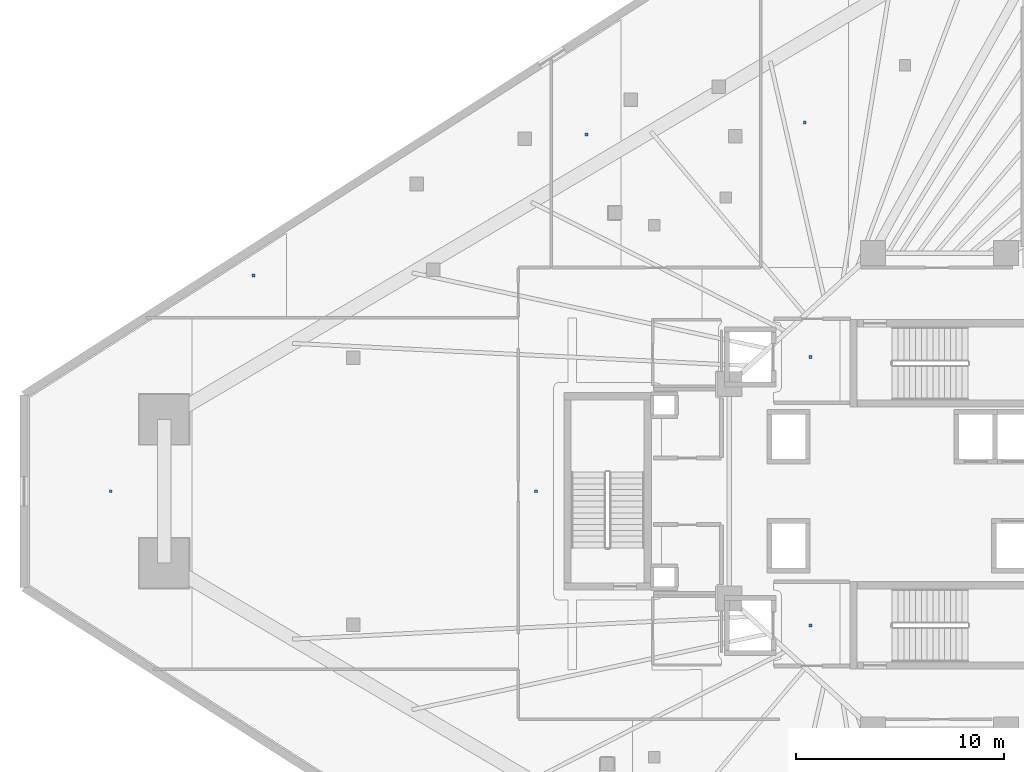
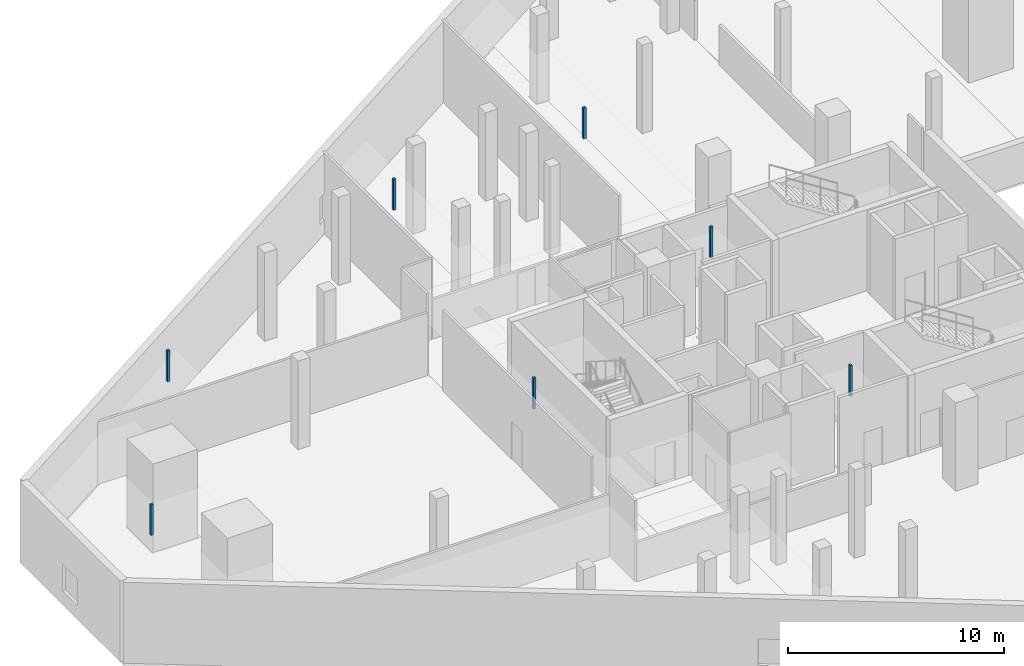
# One storey, part 35 of 43: 7 discrete accessories.
"""IFC4 building model written with IfcOpenShell, lengths in metres."""

import ifcopenshell
import ifcopenshell.guid

model = None  # the IFC model being written
_history = None  # IfcOwnerHistory: only IFC2X3 demands one
_inside = {}  # id of a spatial element -> (the spatial element, [elements in it])
_under = {}  # id of a project, library or spatial element -> (it, [spatial elements below it])
_declared = {}  # id of a project -> (the project, [libraries it declares])
_typed = {}  # id of a type object -> (the type object, [elements of that type])
_made_of = {}  # id of a material, layer set ... -> (it, [elements and type objects made of it])


def new_model(schema):
    """Start an empty IFC model of exactly this schema.

    Asked for "IFC4X3", IfcOpenShell would pick the latest addendum, in which some entities
    have other attributes; the version numbers below select the first issue.
    IFC2X3 requires an IfcOwnerHistory on every rooted entity: one is made here for all.
    """
    global model, _history
    if schema == "IFC4X3":
        model = ifcopenshell.file(schema_version=(4, 3, 0, 0))
    else:
        model = ifcopenshell.file(schema=schema)
    _inside.clear()
    _under.clear()
    _declared.clear()
    _typed.clear()
    _made_of.clear()
    _history = None
    if model.schema == "IFC2X3":
        org = make("IfcOrganization", Name="unknown")
        user = make(
            "IfcPersonAndOrganization",
            ThePerson=make("IfcPerson", FamilyName="unknown"),
            TheOrganization=org,
        )
        app = make(
            "IfcApplication",
            ApplicationDeveloper=org,
            Version="unknown",
            ApplicationFullName="unknown",
            ApplicationIdentifier="unknown",
        )
        _history = make(
            "IfcOwnerHistory",
            OwningUser=user,
            OwningApplication=app,
            ChangeAction="ADDED",
            CreationDate=0,
        )
    return model


def make(cls, **values):
    """One entity of the class cls with the attributes given. An attribute that is None is left unset."""
    return model.create_entity(
        cls, **{name: value for name, value in values.items() if value is not None}
    )


def rooted(cls, **values):
    """An entity with a GlobalId (a new one), such as an element, a storey or a relation."""
    return make(cls, GlobalId=ifcopenshell.guid.new(), OwnerHistory=_history, **values)


def si_unit(unit_type, name, prefix=None):
    """IfcSIUnit, for example si_unit("LENGTHUNIT", "METRE", prefix="MILLI")."""
    return make("IfcSIUnit", UnitType=unit_type, Prefix=prefix, Name=name)


def assignment(units):
    """IfcUnitAssignment: the units of a project."""
    return None if units is None else make("IfcUnitAssignment", Units=units)


def point(xyz):
    """IfcCartesianPoint."""
    return None if xyz is None else make("IfcCartesianPoint", Coordinates=xyz)


def direction(xyz):
    """IfcDirection."""
    return None if xyz is None else make("IfcDirection", DirectionRatios=xyz)


def frame(location, z_axis=None, x_axis=None):
    """IfcAxis2Placement3D, a coordinate frame: its origin and axes. An axis left out is left unset."""
    return make(
        "IfcAxis2Placement3D",
        Location=point(location),
        Axis=direction(z_axis),
        RefDirection=direction(x_axis),
    )


def frame_2d(location, x_axis=None):
    """IfcAxis2Placement2D, a coordinate frame in the plane: its origin and x axis."""
    return make(
        "IfcAxis2Placement2D", Location=point(location), RefDirection=direction(x_axis)
    )


def origin():
    """The frame at (0, 0, 0) with its axes left unset."""
    return frame((0.0, 0.0, 0.0))


def origin_2d():
    """The frame at (0, 0) in the plane with its x axis left unset."""
    return frame_2d((0.0, 0.0))


def place(relative_to, where):
    """IfcLocalPlacement: puts the frame where relative to a parent placement (None: the world)."""
    return make(
        "IfcLocalPlacement", PlacementRelTo=relative_to, RelativePlacement=where
    )


def context(
    kind, dimensions, precision=None, world=None, true_north=None, identifier=None
):
    """IfcGeometricRepresentationContext, for example the 3D "Model" context."""
    return make(
        "IfcGeometricRepresentationContext",
        ContextIdentifier=identifier,
        ContextType=kind,
        CoordinateSpaceDimension=dimensions,
        Precision=precision,
        WorldCoordinateSystem=world,
        TrueNorth=true_north,
    )


def subcontext(parent, identifier, kind, view, scale=None):
    """IfcGeometricRepresentationSubContext, for example "Body" below "Model"."""
    return make(
        "IfcGeometricRepresentationSubContext",
        ContextIdentifier=identifier,
        ContextType=kind,
        ParentContext=parent,
        TargetScale=scale,
        TargetView=view,
    )


def project(units=None, contexts=None):
    """IfcProject with its units and contexts."""
    return rooted(
        "IfcProject",
        Name="project",
        RepresentationContexts=contexts,
        UnitsInContext=assignment(units),
    )


def spatial(cls, under=None, at=None, **own):
    """A site, building, storey or space (cls), placed at a placement, below another one or the project."""
    s = rooted(cls, ObjectPlacement=at, **own)
    if under is not None:
        _under.setdefault(under.id(), (under, []))[1].append(s)
    return s


def profile(cls, at=None, kind="AREA", **sizes):
    """A parametric profile (cls). Its sizes go by their IFC names, for example OverallWidth=200.0."""
    return make(cls, ProfileType=kind, Position=at, **sizes)


def rectangle(**sizes):
    """IfcRectangleProfileDef."""
    return profile("IfcRectangleProfileDef", **sizes)


def extrude(swept, where, along, depth):
    """IfcExtrudedAreaSolid: the profile swept, set in the frame where, extruded along a direction by depth."""
    return make(
        "IfcExtrudedAreaSolid",
        SweptArea=swept,
        Position=where,
        ExtrudedDirection=direction(along),
        Depth=depth,
    )


def shape(context_of_items, identifier, shape_type, items):
    """IfcShapeRepresentation: the items that make up one representation, for example the "Body"."""
    return make(
        "IfcShapeRepresentation",
        ContextOfItems=context_of_items,
        RepresentationIdentifier=identifier,
        RepresentationType=shape_type,
        Items=items,
    )


def material(Name=None, Category=None):
    """IfcMaterial."""
    return make("IfcMaterial", Name=Name, Category=Category)


def made_of(thing, what):
    """Note that an element or type object is made of a material, layer set ...; save() writes the relation."""
    if what is not None:
        _made_of.setdefault(what.id(), (what, []))[1].append(thing)
    return thing


def type_object(cls, material=None, **own):
    """A type object (cls), such as IfcWallType, which elements share."""
    return made_of(rooted(cls, **own), material)


def element(
    cls,
    number,
    at=None,
    inside=None,
    cuts=None,
    type_object=None,
    material=None,
    context=None,
    identifier="Body",
    shape_type=None,
    held_by="IfcProductDefinitionShape",
    body=None,
    shapes=None,
    **own,
):
    """One element of the class cls, such as IfcWall. Its Tag is "e" and its number.

    at: its placement. inside: the storey or other place that contains it. cuts: it is an
    opening in that element (IfcRelVoidsElement). A single representation is given by context,
    identifier, shape_type and body (its items); several are given by shapes. held_by: the class
    of the entity that holds the representations. save() writes the other relations.
    """
    e = rooted(cls, Tag="e%d" % number, ObjectPlacement=at, **own)
    if body is not None:
        shapes = [shape(context, identifier, shape_type, body)]
    if shapes is not None:
        e.Representation = make(held_by, Representations=shapes)
    if inside is not None:
        _inside.setdefault(inside.id(), (inside, []))[1].append(e)
    if cuts is not None:
        rooted(
            "IfcRelVoidsElement", RelatingBuildingElement=cuts, RelatedOpeningElement=e
        )
    if type_object is not None:
        _typed.setdefault(type_object.id(), (type_object, []))[1].append(e)
    return made_of(e, material)


def aggregate(whole, parts):
    """IfcRelAggregates: a whole, such as a stair, and the parts it consists of."""
    return rooted("IfcRelAggregates", RelatingObject=whole, RelatedObjects=parts)


def save(model, path):
    """Write the relations noted so far, then the file.

    IfcRelAggregates (storeys below a building ...), IfcRelContainedInSpatialStructure (elements
    in a storey), IfcRelDefinesByType, IfcRelAssociatesMaterial and IfcRelDeclares: one each for
    every whole, place, type object, material and project.
    """
    for whole, parts in _under.values():
        aggregate(whole, parts)
    for where, things in _inside.values():
        rooted(
            "IfcRelContainedInSpatialStructure",
            RelatedElements=things,
            RelatingStructure=where,
        )
    for kind, things in _typed.values():
        rooted("IfcRelDefinesByType", RelatedObjects=things, RelatingType=kind)
    for what, things in _made_of.values():
        rooted("IfcRelAssociatesMaterial", RelatedObjects=things, RelatingMaterial=what)
    for by, libraries in _declared.values():
        rooted("IfcRelDeclares", RelatingContext=by, RelatedDefinitions=libraries)
    model.write(path)


model = new_model("IFC4")

# Units and contexts
model_context = context("Model", 3, precision=1e-05, world=origin(), true_north=direction((0.0, 1.0)))
body_context = subcontext(model_context, "Body", "Model", "MODEL_VIEW")
ifc_project = project(units=[si_unit("LENGTHUNIT", "METRE"), si_unit("AREAUNIT", "SQUARE_METRE"), si_unit("VOLUMEUNIT", "CUBIC_METRE"), si_unit("PLANEANGLEUNIT", "RADIAN"), si_unit("MASSUNIT", "GRAM", prefix="KILO")], contexts=[model_context])

# Site, building, storey
site_placement = place(None, origin())
site = spatial("IfcSite", under=ifc_project, at=site_placement, CompositionType="ELEMENT")
building_placement = place(site_placement, origin())
building = spatial("IfcBuilding", under=site, at=building_placement, Name="Qorvath Tower", CompositionType="ELEMENT")
storey_placement = place(building_placement, frame((0.0, 0.0, 22.0)))
storey = spatial("IfcBuildingStorey", under=building, at=storey_placement, Name="L04", CompositionType="ELEMENT", Elevation=22.0)

# Discrete accessories
ifc_material = material(Name="Galvanised steel bracket", Category="steel")
discrete_accessory_type = type_object("IfcDiscreteAccessoryType", Name="DA-BRACKET", PredefinedType="BRACKET", material=ifc_material)
for number, where, z_axis, x_axis, name in (
    (1, (-26.590087890625, 6.449951171875, 2.860107421875), (0.0, 0.0, 1.0), (1.0, 0.0, 0.0), "Acoustic Ceiling Suspension Hanger T1-L04-001"),
    (2, (-26.590087890625, -6.449951171875, 2.860107421875), (0.0, 0.0, 1.0), (1.0, 0.0, 0.0), "Acoustic Ceiling Suspension Hanger T1-L04-002"),
    (3, (-39.797607421875, 0.0, 2.860107421875), (0.0, 0.0, 1.0), (1.0, 0.0, 0.0), "Acoustic Ceiling Suspension Hanger T1-L04-007"),
    (4, (-53.3818359375, 10.37548828125, 2.860107421875), (0.0, 0.0, 1.0), (1.0, 0.0, 0.0), "Acoustic Ceiling Suspension Hanger T1-L04-008"),
    (5, (-37.377685546875, 17.146484375, 2.860107421875), (0.0, 0.0, 1.0), (1.0, 0.0, 0.0), "Acoustic Ceiling Suspension Hanger T1-L04-009"),
    (6, (-26.87255859375, 17.727294921875, 2.860107421875), (0.0, 0.0, 1.0), (1.0, 0.0, 0.0), "Acoustic Ceiling Suspension Hanger T1-L04-010"),
    (7, (-60.247314453125, 0.0, 2.860107421875), (0.0, 0.0, 1.0), (1.0, 0.0, 0.0), "Acoustic Ceiling Suspension Hanger T1-L04-013"),
):
    element("IfcDiscreteAccessory", number, at=place(storey_placement, frame(where, z_axis=z_axis, x_axis=x_axis)), inside=storey, type_object=discrete_accessory_type, Name=name, PredefinedType="NOTDEFINED", context=body_context, shape_type="SweptSolid", body=[
        extrude(rectangle(XDim=0.139892578125, YDim=0.139892578125, at=origin_2d()), origin(), (0.0, 0.0, 1.0), 1.75),
    ])

save(model, "model.ifc")
